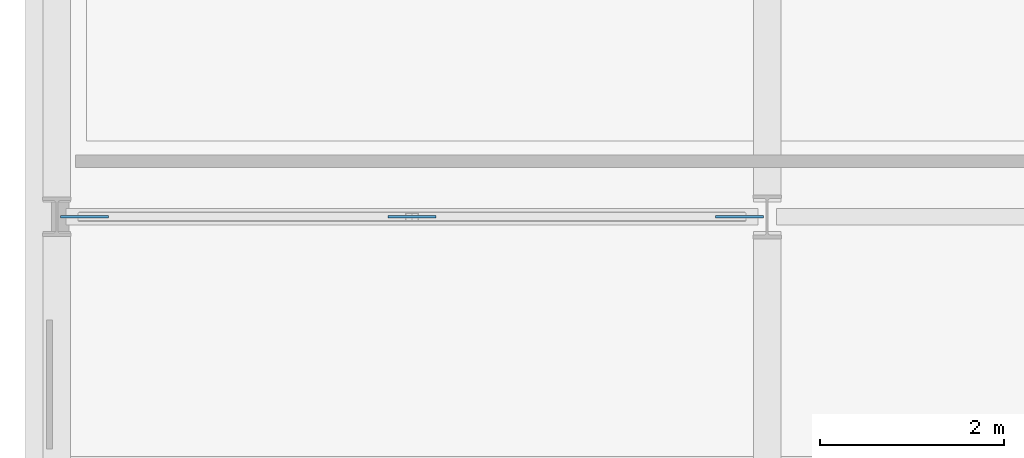
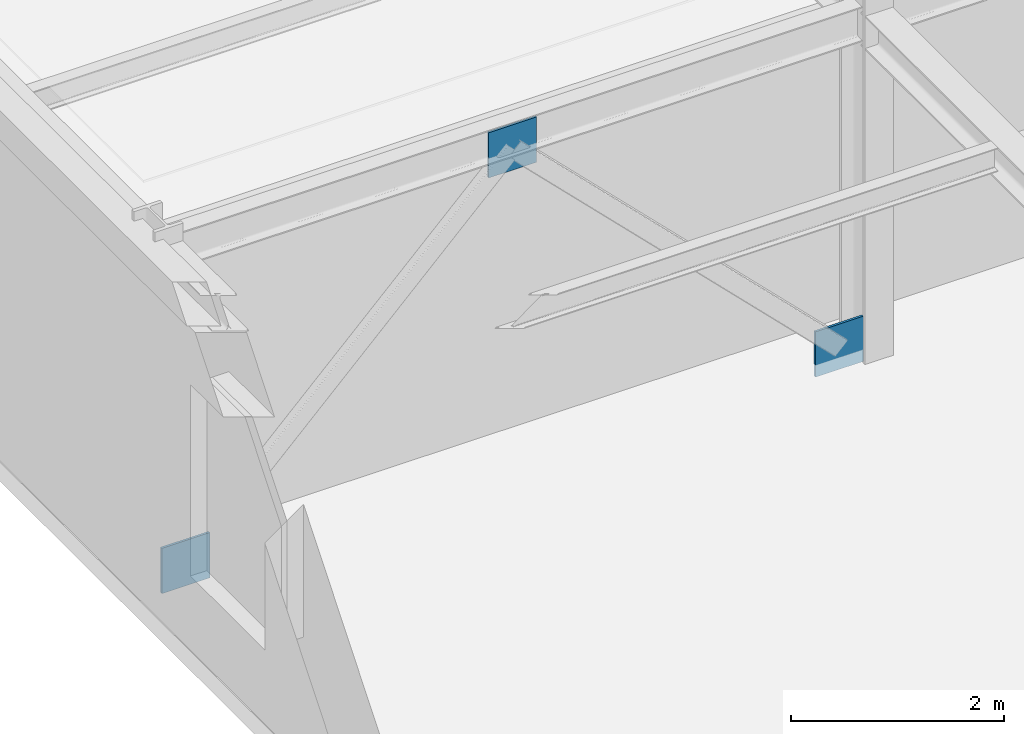
# One storey, part 34 of 57: 3 plates.
"""IFC4 building model written with IfcOpenShell, lengths in metres."""

from ifc_helpers import new_model, si_unit, direction, frame, origin, origin_2d, place, context, subcontext, project, spatial, rectangle, extrude, material, layer, layer_set, type_object, element, save


model = new_model("IFC4")

# Units and contexts
model_context = context("Model", 3, precision=1e-05, world=origin(), true_north=direction((0.0, 1.0)))
body_context = subcontext(model_context, "Body", "Model", "MODEL_VIEW")
ifc_project = project(units=[si_unit("LENGTHUNIT", "METRE"), si_unit("AREAUNIT", "SQUARE_METRE"), si_unit("VOLUMEUNIT", "CUBIC_METRE"), si_unit("PLANEANGLEUNIT", "RADIAN"), si_unit("MASSUNIT", "GRAM", prefix="KILO"), si_unit("THERMODYNAMICTEMPERATUREUNIT", "KELVIN"), si_unit("POWERUNIT", "WATT")], contexts=[model_context])

# Site, building, storey
site_placement = place(None, origin())
site = spatial("IfcSite", under=ifc_project, at=site_placement, CompositionType="ELEMENT")
building_placement = place(site_placement, origin())
building = spatial("IfcBuilding", under=site, at=building_placement, Name="Solvatero Civic Police Headquarters", CompositionType="ELEMENT")
storey_placement = place(building_placement, frame((0.0, 0.0, 9.300048828125)))
storey = spatial("IfcBuildingStorey", under=building, at=storey_placement, Name="L02", CompositionType="ELEMENT", Elevation=9.300048828125)

# Plates
ifc_material = material(Name="Steel S355", Category="steel")
ifc_layer = layer(ifc_material, 0.02490234375)
ifc_layer_set = layer_set([ifc_layer], Name="Steel S355")
plate_type = type_object("IfcPlateType", Name="PLT-GUS-25", PredefinedType="SHEET", material=ifc_layer_set)
for number, where, z_axis, x_axis, name in (
    (1, (8.64990234375, 20.5, 3.389892578125), (0.0, 0.0, 1.0), (1.0, 0.0, 0.0), "Gusset Plate BR-V4-INT APX L02"),
    (2, (5.10009765625, 20.5, -0.14013671875), (0.0, 0.0, 1.0), (1.0, 0.0, 0.0), "Gusset Plate BR-V4-INT BSL L02"),
    (3, (12.199951171875, 20.5, -0.14013671875), (0.0, 0.0, 1.0), (1.0, 0.0, 0.0), "Gusset Plate BR-V4-INT BSR L02"),
):
    element("IfcPlate", number, at=place(storey_placement, frame(where, z_axis=z_axis, x_axis=x_axis)), inside=storey, type_object=plate_type, Name=name, PredefinedType="SHEET", context=body_context, shape_type="SweptSolid", body=[
        extrude(rectangle(XDim=0.52001953125, YDim=0.02490234375, at=origin_2d()), origin(), (0.0, 0.0, 1.0), 0.52001953125),
    ])

save(model, "model.ifc")
